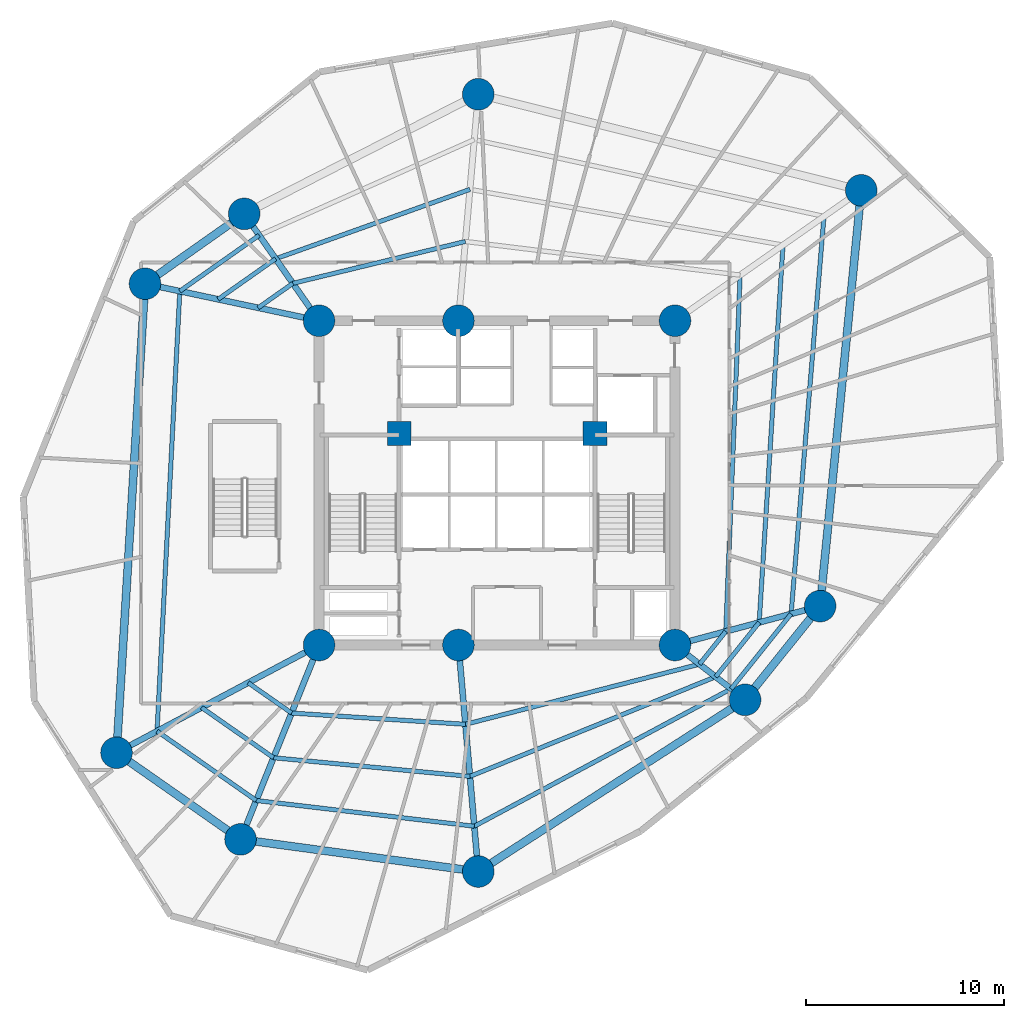
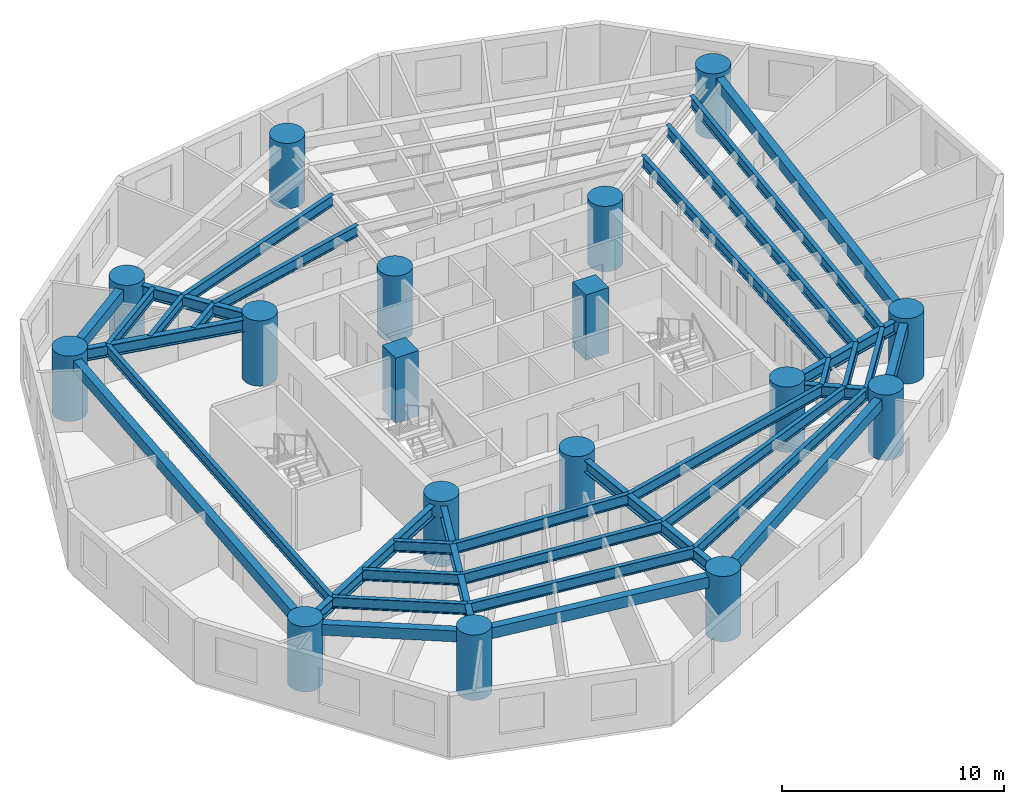
# One storey, part 1 of 8: 35 beams, 17 columns.
"""IFC4 building model written with IfcOpenShell, lengths in metres."""

from ifc_helpers import new_model, si_unit, direction, frame, origin, origin_with_axes, origin_2d, place, context, subcontext, project, spatial, rectangle, circle, i_section, extrude, source, transform, mapped, material, material_profile, profile_set, type_object, element, save


model = new_model("IFC4")

# Units and contexts
model_context = context("Model", 3, precision=1e-05, world=origin(), true_north=direction((0.0, 1.0)))
body_context = subcontext(model_context, "Body", "Model", "MODEL_VIEW")
ifc_project = project(units=[si_unit("LENGTHUNIT", "METRE"), si_unit("AREAUNIT", "SQUARE_METRE"), si_unit("VOLUMEUNIT", "CUBIC_METRE"), si_unit("PLANEANGLEUNIT", "RADIAN"), si_unit("MASSUNIT", "GRAM", prefix="KILO")], contexts=[model_context])

# Site, building, storey
site_placement = place(None, origin())
site = spatial("IfcSite", under=ifc_project, at=site_placement, CompositionType="ELEMENT")
building_placement = place(site_placement, origin())
building = spatial("IfcBuilding", under=site, at=building_placement, Name="Karkom Vertical University and Central Library", CompositionType="ELEMENT")
storey_placement = place(building_placement, frame((0.0, 0.0, 55.300048828125)))
storey = spatial("IfcBuildingStorey", under=building, at=storey_placement, Name="L14", CompositionType="ELEMENT", Elevation=55.300048828125)

# Columns
ifc_material_1 = material(Name="Concrete C50/60", Category="concrete")
ifc_material_profile_1 = material_profile(ifc_material_1, circle(Radius=0.800048828125, at=origin_2d()), Name="CFT-D1600")
ifc_profile_set_1 = profile_set([ifc_material_profile_1], Name="Concrete C50/60")
column_type_1 = type_object("IfcColumnType", Name="STR-COL-C-SC2", PredefinedType="COLUMN", material=ifc_profile_set_1)
shared_shape_1 = source(origin_with_axes(), body_context, "Body", "SweptSolid", [
    extrude(circle(Radius=0.800048828125, at=origin_2d()), origin(), (0.0, 0.0, 1.0), 3.599853515625),
])
for number, where, z_axis, x_axis, name in (
    (1, (19.5, 18.300048828125, 0.0), (0.0, 0.0, 1.0), (1.0, 0.0, 0.0), "Level 14 Spine Mega-Column SC-1"),
    (2, (26.550048828125, 18.300048828125, 0.0), (0.0, 0.0, 1.0), (1.0, 0.0, 0.0), "Level 14 Spine Mega-Column SC-2"),
    (3, (37.5, 18.300048828125, 0.0), (0.0, 0.0, 1.0), (1.0, 0.0, 0.0), "Level 14 Spine Mega-Column SC-3"),
    (4, (19.5, 34.699951171875, 0.0), (0.0, 0.0, 1.0), (1.0, 0.0, 0.0), "Level 14 Spine Mega-Column SC-4"),
    (5, (26.550048828125, 34.699951171875, 0.0), (0.0, 0.0, 1.0), (1.0, 0.0, 0.0), "Level 14 Spine Mega-Column SC-5"),
    (6, (37.5, 34.699951171875, 0.0), (0.0, 0.0, 1.0), (1.0, 0.0, 0.0), "Level 14 Spine Mega-Column SC-6"),
    (7, (44.841064453125, 20.26708984375, 0.0), (0.0, 0.0, 1.0), (1.0, 0.0, 0.0), "Level 14 Perimeter Mega-Column Z1-PC1"),
    (8, (46.919921875, 41.2958984375, 0.0), (0.0, 0.0, 1.0), (1.0, 0.0, 0.0), "Level 14 Perimeter Mega-Column Z1-PC2"),
    (9, (27.552001953125, 46.156005859375, 0.0), (0.0, 0.0, 1.0), (1.0, 0.0, 0.0), "Level 14 Perimeter Mega-Column Z1-PC3"),
    (10, (15.714111328125, 40.10595703125, 0.0), (0.0, 0.0, 1.0), (1.0, 0.0, 0.0), "Level 14 Perimeter Mega-Column Z1-PC4"),
    (11, (10.697021484375, 36.571044921875, 0.0), (0.0, 0.0, 1.0), (1.0, 0.0, 0.0), "Level 14 Perimeter Mega-Column Z1-PC5"),
    (12, (9.258056640625, 12.85400390625, 0.0), (0.0, 0.0, 1.0), (1.0, 0.0, 0.0), "Level 14 Perimeter Mega-Column Z1-PC6"),
    (13, (15.529052734375, 8.471923828125, 0.0), (0.0, 0.0, 1.0), (1.0, 0.0, 0.0), "Level 14 Perimeter Mega-Column Z1-PC7"),
    (14, (27.552001953125, 6.843994140625, 0.0), (0.0, 0.0, 1.0), (1.0, 0.0, 0.0), "Level 14 Perimeter Mega-Column Z1-PC8"),
    (15, (41.0458984375, 15.530029296875, 0.0), (0.0, 0.0, 1.0), (1.0, 0.0, 0.0), "Level 14 Perimeter Mega-Column Z1-PC9"),
):
    element("IfcColumn", number, at=place(storey_placement, frame(where, z_axis=z_axis, x_axis=x_axis)), inside=storey, type_object=column_type_1, Name=name, PredefinedType="COLUMN", context=body_context, shape_type="MappedRepresentation", body=[
        mapped(shared_shape_1, transform((0.0, 0.0, 0.0), scale=1.0)),
    ])
ifc_material_profile_2 = material_profile(ifc_material_1, rectangle(XDim=1.199951171875, YDim=1.199951171875, at=origin_2d()), Name="RC-1200x1200")
ifc_profile_set_2 = profile_set([ifc_material_profile_2], Name="Concrete C50/60")
column_type_2 = type_object("IfcColumnType", Name="STR-COL-C-CC1", PredefinedType="COLUMN", material=ifc_profile_set_2)
shared_shape_2 = source(origin_with_axes(), body_context, "Body", "SweptSolid", [
    extrude(rectangle(XDim=1.199951171875, YDim=1.199951171875, at=origin_2d()), origin(), (0.0, 0.0, 1.0), 3.599853515625),
])
for number, where, z_axis, x_axis, name in (
    (16, (23.550048828125, 29.0, 0.0), (0.0, 0.0, 1.0), (1.0, 0.0, 0.0), "Level 14 Core Node Column CC-1"),
    (17, (33.449951171875, 29.0, 0.0), (0.0, 0.0, 1.0), (1.0, 0.0, 0.0), "Level 14 Core Node Column CC-2"),
):
    element("IfcColumn", number, at=place(storey_placement, frame(where, z_axis=z_axis, x_axis=x_axis)), inside=storey, type_object=column_type_2, Name=name, PredefinedType="COLUMN", context=body_context, shape_type="MappedRepresentation", body=[
        mapped(shared_shape_2, transform((0.0, 0.0, 0.0), scale=1.0)),
    ])

# Beams
ifc_material_2 = material(Name="Steel S355", Category="steel")
ifc_material_profile_3 = material_profile(ifc_material_2, i_section(OverallWidth=0.300048828125, OverallDepth=0.64990234375, WebThickness=0.01611328125, FlangeThickness=0.031005859375, FilletRadius=0.027099609375, at=origin_2d()), Name="HE 650 B")
ifc_profile_set_3 = profile_set([ifc_material_profile_3], Name="Steel S355")
beam_type_1 = type_object("IfcBeamType", Name="STR-BM-SB-HE650", PredefinedType="USERDEFINED", material=ifc_profile_set_3)
shared_shape_3 = source(origin_with_axes(), body_context, "Body", "SweptSolid", [
    extrude(i_section(OverallWidth=0.300048828125, OverallDepth=0.64990234375, WebThickness=0.01611328125, FlangeThickness=0.031005859375, FilletRadius=0.027099609375, at=origin_2d()), origin(), (0.0, 0.0, 1.0), 7.60009765625),
])
beam_1_placement = place(storey_placement, frame((37.5, 18.300048828125, 3.02490234375), z_axis=(0.965925539322, 0.258820116077, 0.0), x_axis=(-0.258820116077, 0.965925539322, 0.0)))
element("IfcBeam", 18, at=beam_1_placement, inside=storey, type_object=beam_type_1, Name="Level 14 Radial Frame Girder 01", ObjectType="GIRDER", PredefinedType="USERDEFINED", context=body_context, shape_type="MappedRepresentation", body=[
    mapped(shared_shape_3, transform((0.0, 0.0, 0.0), scale=1.0)),
])
shared_shape_4 = source(origin_with_axes(), body_context, "Body", "SweptSolid", [
    extrude(i_section(OverallWidth=0.300048828125, OverallDepth=0.64990234375, WebThickness=0.01611328125, FlangeThickness=0.031005859375, FilletRadius=0.027099609375, at=origin_2d()), origin(), (0.0, 0.0, 1.0), 11.499755859375),
])
beam_2_placement = place(storey_placement, frame((26.550048828125, 18.300048828125, 3.02490234375), z_axis=(0.087127973109, -0.99619712723, 0.0), x_axis=(0.99619712723, 0.087127973109, 0.0)))
element("IfcBeam", 19, at=beam_2_placement, inside=storey, type_object=beam_type_1, Name="Level 14 Radial Frame Girder 08", ObjectType="GIRDER", PredefinedType="USERDEFINED", context=body_context, shape_type="MappedRepresentation", body=[
    mapped(shared_shape_4, transform((0.0, 0.0, 0.0), scale=1.0)),
])
shared_shape_5 = source(origin_with_axes(), body_context, "Body", "SweptSolid", [
    extrude(i_section(OverallWidth=0.300048828125, OverallDepth=0.64990234375, WebThickness=0.01611328125, FlangeThickness=0.031005859375, FilletRadius=0.027099609375, at=origin_2d()), origin(), (0.0, 0.0, 1.0), 6.599853515625),
])
beam_3_placement = place(storey_placement, frame((19.5, 34.699951171875, 3.02490234375), z_axis=(-0.573633636671, 0.819111989218, 0.0), x_axis=(-0.819111989218, -0.573633636671, 0.0)))
element("IfcBeam", 20, at=beam_3_placement, inside=storey, type_object=beam_type_1, Name="Level 14 Radial Frame Girder 04", ObjectType="GIRDER", PredefinedType="USERDEFINED", context=body_context, shape_type="MappedRepresentation", body=[
    mapped(shared_shape_5, transform((0.0, 0.0, 0.0), scale=1.0)),
])
shared_shape_6 = source(origin_with_axes(), body_context, "Body", "SweptSolid", [
    extrude(i_section(OverallWidth=0.300048828125, OverallDepth=0.64990234375, WebThickness=0.01611328125, FlangeThickness=0.031005859375, FilletRadius=0.027099609375, at=origin_2d()), origin(), (0.0, 0.0, 1.0), 8.999755859375),
])
beam_4_placement = place(storey_placement, frame((19.5, 34.699951171875, 3.02490234375), z_axis=(-0.978148438993, 0.207907747079, 0.0), x_axis=(-0.207907747079, -0.978148438993, 0.0)))
element("IfcBeam", 21, at=beam_4_placement, inside=storey, type_object=beam_type_1, Name="Level 14 Radial Frame Girder 05", ObjectType="GIRDER", PredefinedType="USERDEFINED", context=body_context, shape_type="MappedRepresentation", body=[
    mapped(shared_shape_6, transform((0.0, 0.0, 0.0), scale=1.0)),
])
shared_shape_7 = source(origin_with_axes(), body_context, "Body", "SweptSolid", [
    extrude(i_section(OverallWidth=0.300048828125, OverallDepth=0.64990234375, WebThickness=0.01611328125, FlangeThickness=0.031005859375, FilletRadius=0.027099609375, at=origin_2d()), origin(), (0.0, 0.0, 1.0), 11.599853515625),
])
beam_5_placement = place(storey_placement, frame((19.5, 18.300048828125, 3.02490234375), z_axis=(-0.882936620635, -0.469492197957, 0.0), x_axis=(0.469492197957, -0.882936620635, 0.0)))
element("IfcBeam", 22, at=beam_5_placement, inside=storey, type_object=beam_type_1, Name="Level 14 Radial Frame Girder 06", ObjectType="GIRDER", PredefinedType="USERDEFINED", context=body_context, shape_type="MappedRepresentation", body=[
    mapped(shared_shape_7, transform((0.0, 0.0, 0.0), scale=1.0)),
])
shared_shape_8 = source(origin_with_axes(), body_context, "Body", "SweptSolid", [
    extrude(i_section(OverallWidth=0.300048828125, OverallDepth=0.64990234375, WebThickness=0.01611328125, FlangeThickness=0.031005859375, FilletRadius=0.027099609375, at=origin_2d()), origin(), (0.0, 0.0, 1.0), 10.60009765625),
])
beam_6_placement = place(storey_placement, frame((19.5, 18.300048828125, 3.02490234375), z_axis=(-0.374616894394, -0.927179692635, 0.0), x_axis=(0.927179692635, -0.374616894394, 0.0)))
element("IfcBeam", 23, at=beam_6_placement, inside=storey, type_object=beam_type_1, Name="Level 14 Radial Frame Girder 07", ObjectType="GIRDER", PredefinedType="USERDEFINED", context=body_context, shape_type="MappedRepresentation", body=[
    mapped(shared_shape_8, transform((0.0, 0.0, 0.0), scale=1.0)),
])
shared_shape_9 = source(origin_with_axes(), body_context, "Body", "SweptSolid", [
    extrude(i_section(OverallWidth=0.300048828125, OverallDepth=0.64990234375, WebThickness=0.01611328125, FlangeThickness=0.031005859375, FilletRadius=0.027099609375, at=origin_2d()), origin(), (0.0, 0.0, 1.0), 4.49951171875),
])
beam_7_placement = place(storey_placement, frame((37.5, 18.300048828125, 3.02490234375), z_axis=(0.788047405801, -0.615614559778, 0.0), x_axis=(0.615614559778, 0.788047405801, 0.0)))
element("IfcBeam", 24, at=beam_7_placement, inside=storey, type_object=beam_type_1, Name="Level 14 Radial Frame Girder 09", ObjectType="GIRDER", PredefinedType="USERDEFINED", context=body_context, shape_type="MappedRepresentation", body=[
    mapped(shared_shape_9, transform((0.0, 0.0, 0.0), scale=1.0)),
])
ifc_material_3 = material(Name="Precast concrete C45/55", Category="concrete")
ifc_material_profile_4 = material_profile(ifc_material_3, rectangle(XDim=0.39990234375, YDim=0.60009765625, at=origin_2d()), Name="SPB-400x600")
ifc_profile_set_4 = profile_set([ifc_material_profile_4], Name="Precast concrete C45/55")
beam_type_2 = type_object("IfcBeamType", Name="STR-BM-SP-1", PredefinedType="SPANDREL", material=ifc_profile_set_4)
shared_shape_10 = source(origin_with_axes(), body_context, "Body", "SweptSolid", [
    extrude(rectangle(XDim=0.39990234375, YDim=0.60009765625, at=origin_2d()), origin(), (0.0, 0.0, 1.0), 21.13134765625),
])
beam_8_placement = place(storey_placement, frame((44.841064453125, 20.26708984375, 3.050048828125), z_axis=(0.0983780471, 0.995149114379, 0.0), x_axis=(-0.995149114379, 0.0983780471, 0.0)))
element("IfcBeam", 25, at=beam_8_placement, inside=storey, type_object=beam_type_2, Name="Level 14 Perimeter Spandrel Beam 01", PredefinedType="SPANDREL", context=body_context, shape_type="MappedRepresentation", body=[
    mapped(shared_shape_10, transform((0.0, 0.0, 0.0), scale=1.0)),
])
shared_shape_11 = source(origin_with_axes(), body_context, "Body", "SweptSolid", [
    extrude(rectangle(XDim=0.39990234375, YDim=0.60009765625, at=origin_2d()), origin(), (0.0, 0.0, 1.0), 6.13720703125),
])
beam_9_placement = place(storey_placement, frame((15.714111328125, 40.10595703125, 3.050048828125), z_axis=(-0.817471365538, -0.575969240955, 0.0), x_axis=(0.575969240955, -0.817471365538, 0.0)))
element("IfcBeam", 26, at=beam_9_placement, inside=storey, type_object=beam_type_2, Name="Level 14 Perimeter Spandrel Beam 04", PredefinedType="SPANDREL", context=body_context, shape_type="MappedRepresentation", body=[
    mapped(shared_shape_11, transform((0.0, 0.0, 0.0), scale=1.0)),
])
shared_shape_12 = source(origin_with_axes(), body_context, "Body", "SweptSolid", [
    extrude(rectangle(XDim=0.39990234375, YDim=0.60009765625, at=origin_2d()), origin(), (0.0, 0.0, 1.0), 23.7607421875),
])
beam_10_placement = place(storey_placement, frame((10.697021484375, 36.571044921875, 3.050048828125), z_axis=(-0.060560827767, -0.998164508556, 0.0), x_axis=(0.998164508556, -0.060560827767, 0.0)))
element("IfcBeam", 27, at=beam_10_placement, inside=storey, type_object=beam_type_2, Name="Level 14 Perimeter Spandrel Beam 05", PredefinedType="SPANDREL", context=body_context, shape_type="MappedRepresentation", body=[
    mapped(shared_shape_12, transform((0.0, 0.0, 0.0), scale=1.0)),
])
shared_shape_13 = source(origin_with_axes(), body_context, "Body", "SweptSolid", [
    extrude(rectangle(XDim=0.39990234375, YDim=0.60009765625, at=origin_2d()), origin(), (0.0, 0.0, 1.0), 7.650390625),
])
beam_11_placement = place(storey_placement, frame((9.258056640625, 12.85400390625, 3.050048828125), z_axis=(0.819699409527, -0.572793922822, 0.0), x_axis=(0.572793922822, 0.819699409527, 0.0)))
element("IfcBeam", 28, at=beam_11_placement, inside=storey, type_object=beam_type_2, Name="Level 14 Perimeter Spandrel Beam 06", PredefinedType="SPANDREL", context=body_context, shape_type="MappedRepresentation", body=[
    mapped(shared_shape_13, transform((0.0, 0.0, 0.0), scale=1.0)),
])
shared_shape_14 = source(origin_with_axes(), body_context, "Body", "SweptSolid", [
    extrude(rectangle(XDim=0.39990234375, YDim=0.60009765625, at=origin_2d()), origin(), (0.0, 0.0, 1.0), 12.132568359375),
])
beam_12_placement = place(storey_placement, frame((15.529052734375, 8.471923828125, 3.050048828125), z_axis=(0.990957319008, -0.134177464223, 0.0), x_axis=(0.134177464223, 0.990957319008, 0.0)))
element("IfcBeam", 29, at=beam_12_placement, inside=storey, type_object=beam_type_2, Name="Level 14 Perimeter Spandrel Beam 07", PredefinedType="SPANDREL", context=body_context, shape_type="MappedRepresentation", body=[
    mapped(shared_shape_14, transform((0.0, 0.0, 0.0), scale=1.0)),
])
shared_shape_15 = source(origin_with_axes(), body_context, "Body", "SweptSolid", [
    extrude(rectangle(XDim=0.39990234375, YDim=0.60009765625, at=origin_2d()), origin(), (0.0, 0.0, 1.0), 16.0478515625),
])
beam_13_placement = place(storey_placement, frame((27.552001953125, 6.843994140625, 3.050048828125), z_axis=(0.84085555045, 0.541259589548, 0.0), x_axis=(-0.541259589548, 0.84085555045, 0.0)))
element("IfcBeam", 30, at=beam_13_placement, inside=storey, type_object=beam_type_2, Name="Level 14 Perimeter Spandrel Beam 08", PredefinedType="SPANDREL", context=body_context, shape_type="MappedRepresentation", body=[
    mapped(shared_shape_15, transform((0.0, 0.0, 0.0), scale=1.0)),
])
shared_shape_16 = source(origin_with_axes(), body_context, "Body", "SweptSolid", [
    extrude(rectangle(XDim=0.39990234375, YDim=0.60009765625, at=origin_2d()), origin(), (0.0, 0.0, 1.0), 6.06982421875),
])
beam_14_placement = place(storey_placement, frame((41.0458984375, 15.530029296875, 3.050048828125), z_axis=(0.625249167344, 0.780425190992, 0.0), x_axis=(-0.780425190992, 0.625249167344, 0.0)))
element("IfcBeam", 31, at=beam_14_placement, inside=storey, type_object=beam_type_2, Name="Level 14 Perimeter Spandrel Beam 09", PredefinedType="SPANDREL", context=body_context, shape_type="MappedRepresentation", body=[
    mapped(shared_shape_16, transform((0.0, 0.0, 0.0), scale=1.0)),
])
ifc_material_profile_5 = material_profile(ifc_material_2, i_section(OverallWidth=0.219970703125, OverallDepth=0.60009765625, WebThickness=0.011962890625, FlangeThickness=0.01904296875, FilletRadius=0.02392578125, at=origin_2d()), Name="IPE 600")
ifc_profile_set_5 = profile_set([ifc_material_profile_5], Name="Steel S355")
beam_type_3 = type_object("IfcBeamType", Name="STR-BM-SB-IPE600", PredefinedType="BEAM", material=ifc_profile_set_5)
shared_shape_17 = source(origin_with_axes(), body_context, "Body", "SweptSolid", [
    extrude(i_section(OverallWidth=0.219970703125, OverallDepth=0.60009765625, WebThickness=0.011962890625, FlangeThickness=0.01904296875, FilletRadius=0.02392578125, at=origin_2d()), origin(), (0.0, 0.0, 1.0), 18.03466796875),
])
beam_15_placement = place(storey_placement, frame((40.0693359375, 18.988525390625, 3.050048828125), z_axis=(0.04035458262, 0.999185422062, 0.0), x_axis=(-0.999185422062, 0.04035458262, 0.0)))
element("IfcBeam", 32, at=beam_15_placement, inside=storey, type_object=beam_type_3, Name="Level 14 Secondary Composite Floor Beam 1.01", PredefinedType="BEAM", context=body_context, shape_type="MappedRepresentation", body=[
    mapped(shared_shape_17, transform((0.0, 0.0, 0.0), scale=1.0)),
])
shared_shape_18 = source(origin_with_axes(), body_context, "Body", "SweptSolid", [
    extrude(i_section(OverallWidth=0.219970703125, OverallDepth=0.60009765625, WebThickness=0.011962890625, FlangeThickness=0.01904296875, FilletRadius=0.02392578125, at=origin_2d()), origin(), (0.0, 0.0, 1.0), 8.97900390625),
])
beam_16_placement = place(storey_placement, frame((26.900634765625, 38.709716796875, 3.050048828125), z_axis=(-0.971790837509, -0.235844372697, 0.0), x_axis=(0.235844372697, -0.971790837509, 0.0)))
element("IfcBeam", 33, at=beam_16_placement, inside=storey, type_object=beam_type_3, Name="Level 14 Secondary Composite Floor Beam 1.03", PredefinedType="BEAM", context=body_context, shape_type="MappedRepresentation", body=[
    mapped(shared_shape_18, transform((0.0, 0.0, 0.0), scale=1.0)),
])
shared_shape_19 = source(origin_with_axes(), body_context, "Body", "SweptSolid", [
    extrude(i_section(OverallWidth=0.219970703125, OverallDepth=0.60009765625, WebThickness=0.011962890625, FlangeThickness=0.01904296875, FilletRadius=0.02392578125, at=origin_2d()), origin(), (0.0, 0.0, 1.0), 2.14794921875),
])
beam_17_placement = place(storey_placement, frame((18.1748046875, 36.592041015625, 3.050048828125), z_axis=(-0.817433780971, -0.576022580918, 0.0), x_axis=(0.576022580918, -0.817433780971, 0.0)))
element("IfcBeam", 34, at=beam_17_placement, inside=storey, type_object=beam_type_3, Name="Level 14 Secondary Composite Floor Beam 1.04", PredefinedType="BEAM", context=body_context, shape_type="MappedRepresentation", body=[
    mapped(shared_shape_19, transform((0.0, 0.0, 0.0), scale=1.0)),
])
shared_shape_20 = source(origin_with_axes(), body_context, "Body", "SweptSolid", [
    extrude(i_section(OverallWidth=0.219970703125, OverallDepth=0.60009765625, WebThickness=0.011962890625, FlangeThickness=0.01904296875, FilletRadius=0.02392578125, at=origin_2d()), origin(), (0.0, 0.0, 1.0), 2.677490234375),
])
beam_18_placement = place(storey_placement, frame((15.915283203125, 16.393798828125, 3.050048828125), z_axis=(0.819702839548, -0.572789014243, 0.0), x_axis=(0.572789014243, 0.819702839548, 0.0)))
element("IfcBeam", 35, at=beam_18_placement, inside=storey, type_object=beam_type_3, Name="Level 14 Secondary Composite Floor Beam 1.06", PredefinedType="BEAM", context=body_context, shape_type="MappedRepresentation", body=[
    mapped(shared_shape_20, transform((0.0, 0.0, 0.0), scale=1.0)),
])
shared_shape_21 = source(origin_with_axes(), body_context, "Body", "SweptSolid", [
    extrude(i_section(OverallWidth=0.219970703125, OverallDepth=0.60009765625, WebThickness=0.011962890625, FlangeThickness=0.01904296875, FilletRadius=0.02392578125, at=origin_2d()), origin(), (0.0, 0.0, 1.0), 8.80908203125),
])
beam_19_placement = place(storey_placement, frame((18.110107421875, 14.860107421875, 3.050048828125), z_axis=(0.997905617906, -0.064686766433, 0.0), x_axis=(0.064686766433, 0.997905617906, 0.0)))
element("IfcBeam", 36, at=beam_19_placement, inside=storey, type_object=beam_type_3, Name="Level 14 Secondary Composite Floor Beam 1.07", PredefinedType="BEAM", context=body_context, shape_type="MappedRepresentation", body=[
    mapped(shared_shape_21, transform((0.0, 0.0, 0.0), scale=1.0)),
])
shared_shape_22 = source(origin_with_axes(), body_context, "Body", "SweptSolid", [
    extrude(i_section(OverallWidth=0.219970703125, OverallDepth=0.60009765625, WebThickness=0.011962890625, FlangeThickness=0.01904296875, FilletRadius=0.02392578125, at=origin_2d()), origin(), (0.0, 0.0, 1.0), 12.224609375),
])
beam_20_placement = place(storey_placement, frame((26.900634765625, 14.290283203125, 3.050048828125), z_axis=(0.968580403264, 0.248700628092, 0.0), x_axis=(-0.248700628092, 0.968580403264, 0.0)))
element("IfcBeam", 37, at=beam_20_placement, inside=storey, type_object=beam_type_3, Name="Level 14 Secondary Composite Floor Beam 1.08", PredefinedType="BEAM", context=body_context, shape_type="MappedRepresentation", body=[
    mapped(shared_shape_22, transform((0.0, 0.0, 0.0), scale=1.0)),
])
shared_shape_23 = source(origin_with_axes(), body_context, "Body", "SweptSolid", [
    extrude(i_section(OverallWidth=0.219970703125, OverallDepth=0.60009765625, WebThickness=0.011962890625, FlangeThickness=0.01904296875, FilletRadius=0.02392578125, at=origin_2d()), origin(), (0.0, 0.0, 1.0), 2.124267578125),
])
beam_21_placement = place(storey_placement, frame((38.7412109375, 17.33056640625, 3.050048828125), z_axis=(0.625199471959, 0.780465002587, 0.0), x_axis=(-0.780465002587, 0.625199471959, 0.0)))
element("IfcBeam", 38, at=beam_21_placement, inside=storey, type_object=beam_type_3, Name="Level 14 Secondary Composite Floor Beam 1.09", PredefinedType="BEAM", context=body_context, shape_type="MappedRepresentation", body=[
    mapped(shared_shape_23, transform((0.0, 0.0, 0.0), scale=1.0)),
])
shared_shape_24 = source(origin_with_axes(), body_context, "Body", "SweptSolid", [
    extrude(i_section(OverallWidth=0.219970703125, OverallDepth=0.60009765625, WebThickness=0.011962890625, FlangeThickness=0.01904296875, FilletRadius=0.02392578125, at=origin_2d()), origin(), (0.0, 0.0, 1.0), 19.122802734375),
])
beam_22_placement = place(storey_placement, frame((41.7578125, 19.44091796875, 3.050048828125), z_axis=(0.063056264597, 0.998009973645, 0.0), x_axis=(-0.998009973645, 0.063056264597, 0.0)))
element("IfcBeam", 39, at=beam_22_placement, inside=storey, type_object=beam_type_3, Name="Level 14 Secondary Composite Floor Beam 2.01", PredefinedType="BEAM", context=body_context, shape_type="MappedRepresentation", body=[
    mapped(shared_shape_24, transform((0.0, 0.0, 0.0), scale=1.0)),
])
shared_shape_25 = source(origin_with_axes(), body_context, "Body", "SweptSolid", [
    extrude(i_section(OverallWidth=0.219970703125, OverallDepth=0.60009765625, WebThickness=0.011962890625, FlangeThickness=0.01904296875, FilletRadius=0.02392578125, at=origin_2d()), origin(), (0.0, 0.0, 1.0), 10.4345703125),
])
beam_23_placement = place(storey_placement, frame((27.131103515625, 41.344482421875, 3.050048828125), z_axis=(-0.941759378798, -0.336287484819, 0.0), x_axis=(0.336287484819, -0.941759378798, 0.0)))
element("IfcBeam", 40, at=beam_23_placement, inside=storey, type_object=beam_type_3, Name="Level 14 Secondary Composite Floor Beam 2.03", PredefinedType="BEAM", context=body_context, shape_type="MappedRepresentation", body=[
    mapped(shared_shape_25, transform((0.0, 0.0, 0.0), scale=1.0)),
])
shared_shape_26 = source(origin_with_axes(), body_context, "Body", "SweptSolid", [
    extrude(i_section(OverallWidth=0.219970703125, OverallDepth=0.60009765625, WebThickness=0.011962890625, FlangeThickness=0.01904296875, FilletRadius=0.02392578125, at=origin_2d()), origin(), (0.0, 0.0, 1.0), 3.5595703125),
])
beam_24_placement = place(storey_placement, frame((17.30419921875, 37.83544921875, 3.050048828125), z_axis=(-0.817465552849, -0.575977490798, 0.0), x_axis=(0.575977490798, -0.817465552849, 0.0)))
element("IfcBeam", 41, at=beam_24_placement, inside=storey, type_object=beam_type_3, Name="Level 14 Secondary Composite Floor Beam 2.04", PredefinedType="BEAM", context=body_context, shape_type="MappedRepresentation", body=[
    mapped(shared_shape_26, transform((0.0, 0.0, 0.0), scale=1.0)),
])
shared_shape_27 = source(origin_with_axes(), body_context, "Body", "SweptSolid", [
    extrude(i_section(OverallWidth=0.219970703125, OverallDepth=0.60009765625, WebThickness=0.011962890625, FlangeThickness=0.01904296875, FilletRadius=0.02392578125, at=origin_2d()), origin(), (0.0, 0.0, 1.0), 4.437255859375),
])
beam_25_placement = place(storey_placement, frame((13.5595703125, 15.141357421875, 3.050048828125), z_axis=(0.819712425733, -0.572775295468, 0.0), x_axis=(0.572775295468, 0.819712425733, 0.0)))
element("IfcBeam", 42, at=beam_25_placement, inside=storey, type_object=beam_type_3, Name="Level 14 Secondary Composite Floor Beam 2.06", PredefinedType="BEAM", context=body_context, shape_type="MappedRepresentation", body=[
    mapped(shared_shape_27, transform((0.0, 0.0, 0.0), scale=1.0)),
])
shared_shape_28 = source(origin_with_axes(), body_context, "Body", "SweptSolid", [
    extrude(i_section(OverallWidth=0.219970703125, OverallDepth=0.60009765625, WebThickness=0.011962890625, FlangeThickness=0.01904296875, FilletRadius=0.02392578125, at=origin_2d()), origin(), (0.0, 0.0, 1.0), 9.97900390625),
])
beam_26_placement = place(storey_placement, frame((17.19677734375, 12.599853515625, 3.050048828125), z_axis=(0.995512389915, -0.094631292526, 0.0), x_axis=(0.094631292526, 0.995512389915, 0.0)))
element("IfcBeam", 43, at=beam_26_placement, inside=storey, type_object=beam_type_3, Name="Level 14 Secondary Composite Floor Beam 2.07", PredefinedType="BEAM", context=body_context, shape_type="MappedRepresentation", body=[
    mapped(shared_shape_28, transform((0.0, 0.0, 0.0), scale=1.0)),
])
shared_shape_29 = source(origin_with_axes(), body_context, "Body", "SweptSolid", [
    extrude(i_section(OverallWidth=0.219970703125, OverallDepth=0.60009765625, WebThickness=0.011962890625, FlangeThickness=0.01904296875, FilletRadius=0.02392578125, at=origin_2d()), origin(), (0.0, 0.0, 1.0), 13.407958984375),
])
beam_27_placement = place(storey_placement, frame((27.131103515625, 11.655517578125, 3.050048828125), z_axis=(0.926727273371, 0.375734694685, 0.0), x_axis=(-0.375734694685, 0.926727273371, 0.0)))
element("IfcBeam", 44, at=beam_27_placement, inside=storey, type_object=beam_type_3, Name="Level 14 Secondary Composite Floor Beam 2.08", PredefinedType="BEAM", context=body_context, shape_type="MappedRepresentation", body=[
    mapped(shared_shape_29, transform((0.0, 0.0, 0.0), scale=1.0)),
])
shared_shape_30 = source(origin_with_axes(), body_context, "Body", "SweptSolid", [
    extrude(i_section(OverallWidth=0.219970703125, OverallDepth=0.60009765625, WebThickness=0.011962890625, FlangeThickness=0.01904296875, FilletRadius=0.02392578125, at=origin_2d()), origin(), (0.0, 0.0, 1.0), 3.5205078125),
])
beam_28_placement = place(storey_placement, frame((39.556640625, 16.693359375, 3.050048828125), z_axis=(0.62523614548, 0.780435623473, 0.0), x_axis=(-0.780435623473, 0.62523614548, 0.0)))
element("IfcBeam", 45, at=beam_28_placement, inside=storey, type_object=beam_type_3, Name="Level 14 Secondary Composite Floor Beam 2.09", PredefinedType="BEAM", context=body_context, shape_type="MappedRepresentation", body=[
    mapped(shared_shape_30, transform((0.0, 0.0, 0.0), scale=1.0)),
])
shared_shape_31 = source(origin_with_axes(), body_context, "Body", "SweptSolid", [
    extrude(i_section(OverallWidth=0.219970703125, OverallDepth=0.60009765625, WebThickness=0.011962890625, FlangeThickness=0.01904296875, FilletRadius=0.02392578125, at=origin_2d()), origin(), (0.0, 0.0, 1.0), 20.171875),
])
beam_29_placement = place(storey_placement, frame((43.372802734375, 19.87353515625, 3.050048828125), z_axis=(0.082445490935, 0.996595575459, 0.0), x_axis=(-0.996595575459, 0.082445490935, 0.0)))
element("IfcBeam", 46, at=beam_29_placement, inside=storey, type_object=beam_type_3, Name="Level 14 Secondary Composite Floor Beam 3.01", PredefinedType="BEAM", context=body_context, shape_type="MappedRepresentation", body=[
    mapped(shared_shape_31, transform((0.0, 0.0, 0.0), scale=1.0)),
])
shared_shape_32 = source(origin_with_axes(), body_context, "Body", "SweptSolid", [
    extrude(i_section(OverallWidth=0.219970703125, OverallDepth=0.60009765625, WebThickness=0.011962890625, FlangeThickness=0.01904296875, FilletRadius=0.02392578125, at=origin_2d()), origin(), (0.0, 0.0, 1.0), 4.909912109375),
])
beam_30_placement = place(storey_placement, frame((16.47119140625, 39.02490234375, 3.050048828125), z_axis=(-0.817452635759, -0.575995823153, 0.0), x_axis=(0.575995823153, -0.817452635759, 0.0)))
element("IfcBeam", 47, at=beam_30_placement, inside=storey, type_object=beam_type_3, Name="Level 14 Secondary Composite Floor Beam 3.04", PredefinedType="BEAM", context=body_context, shape_type="MappedRepresentation", body=[
    mapped(shared_shape_32, transform((0.0, 0.0, 0.0), scale=1.0)),
])
shared_shape_33 = source(origin_with_axes(), body_context, "Body", "SweptSolid", [
    extrude(i_section(OverallWidth=0.219970703125, OverallDepth=0.60009765625, WebThickness=0.011962890625, FlangeThickness=0.01904296875, FilletRadius=0.02392578125, at=origin_2d()), origin(), (0.0, 0.0, 1.0), 22.283447265625),
])
beam_31_placement = place(storey_placement, frame((12.45751953125, 36.19677734375, 3.050048828125), z_axis=(-0.051658288147, -0.998664819279, 0.0), x_axis=(0.998664819279, -0.051658288147, 0.0)))
element("IfcBeam", 48, at=beam_31_placement, inside=storey, type_object=beam_type_3, Name="Level 14 Secondary Composite Floor Beam 3.05", PredefinedType="BEAM", context=body_context, shape_type="MappedRepresentation", body=[
    mapped(shared_shape_33, transform((0.0, 0.0, 0.0), scale=1.0)),
])
shared_shape_34 = source(origin_with_axes(), body_context, "Body", "SweptSolid", [
    extrude(i_section(OverallWidth=0.219970703125, OverallDepth=0.60009765625, WebThickness=0.011962890625, FlangeThickness=0.01904296875, FilletRadius=0.02392578125, at=origin_2d()), origin(), (0.0, 0.0, 1.0), 6.120361328125),
])
beam_32_placement = place(storey_placement, frame((11.306396484375, 13.943115234375, 3.050048828125), z_axis=(0.81970577287, -0.572784816422, 0.0), x_axis=(0.572784816422, 0.81970577287, 0.0)))
element("IfcBeam", 49, at=beam_32_placement, inside=storey, type_object=beam_type_3, Name="Level 14 Secondary Composite Floor Beam 3.06", PredefinedType="BEAM", context=body_context, shape_type="MappedRepresentation", body=[
    mapped(shared_shape_34, transform((0.0, 0.0, 0.0), scale=1.0)),
])
shared_shape_35 = source(origin_with_axes(), body_context, "Body", "SweptSolid", [
    extrude(i_section(OverallWidth=0.219970703125, OverallDepth=0.60009765625, WebThickness=0.011962890625, FlangeThickness=0.01904296875, FilletRadius=0.02392578125, at=origin_2d()), origin(), (0.0, 0.0, 1.0), 11.10498046875),
])
beam_33_placement = place(storey_placement, frame((16.3232421875, 10.4375, 3.050048828125), z_axis=(0.993100390447, -0.117267278018, 0.0), x_axis=(0.117267278018, 0.993100390447, 0.0)))
element("IfcBeam", 50, at=beam_33_placement, inside=storey, type_object=beam_type_3, Name="Level 14 Secondary Composite Floor Beam 3.07", PredefinedType="BEAM", context=body_context, shape_type="MappedRepresentation", body=[
    mapped(shared_shape_35, transform((0.0, 0.0, 0.0), scale=1.0)),
])
shared_shape_36 = source(origin_with_axes(), body_context, "Body", "SweptSolid", [
    extrude(i_section(OverallWidth=0.219970703125, OverallDepth=0.60009765625, WebThickness=0.011962890625, FlangeThickness=0.01904296875, FilletRadius=0.02392578125, at=origin_2d()), origin(), (0.0, 0.0, 1.0), 14.727783203125),
])
beam_34_placement = place(storey_placement, frame((27.3515625, 9.13525390625, 3.050048828125), z_axis=(0.881697726656, 0.471814708131, 0.0), x_axis=(-0.471814708131, 0.881697726656, 0.0)))
element("IfcBeam", 51, at=beam_34_placement, inside=storey, type_object=beam_type_3, Name="Level 14 Secondary Composite Floor Beam 3.08", PredefinedType="BEAM", context=body_context, shape_type="MappedRepresentation", body=[
    mapped(shared_shape_36, transform((0.0, 0.0, 0.0), scale=1.0)),
])
shared_shape_37 = source(origin_with_axes(), body_context, "Body", "SweptSolid", [
    extrude(i_section(OverallWidth=0.219970703125, OverallDepth=0.60009765625, WebThickness=0.011962890625, FlangeThickness=0.01904296875, FilletRadius=0.02392578125, at=origin_2d()), origin(), (0.0, 0.0, 1.0), 4.855712890625),
])
beam_35_placement = place(storey_placement, frame((40.3369140625, 16.083984375, 3.050048828125), z_axis=(0.62522835738, 0.780441862747, 0.0), x_axis=(-0.780441862747, 0.62522835738, 0.0)))
element("IfcBeam", 52, at=beam_35_placement, inside=storey, type_object=beam_type_3, Name="Level 14 Secondary Composite Floor Beam 3.09", PredefinedType="BEAM", context=body_context, shape_type="MappedRepresentation", body=[
    mapped(shared_shape_37, transform((0.0, 0.0, 0.0), scale=1.0)),
])

save(model, "model.ifc")
